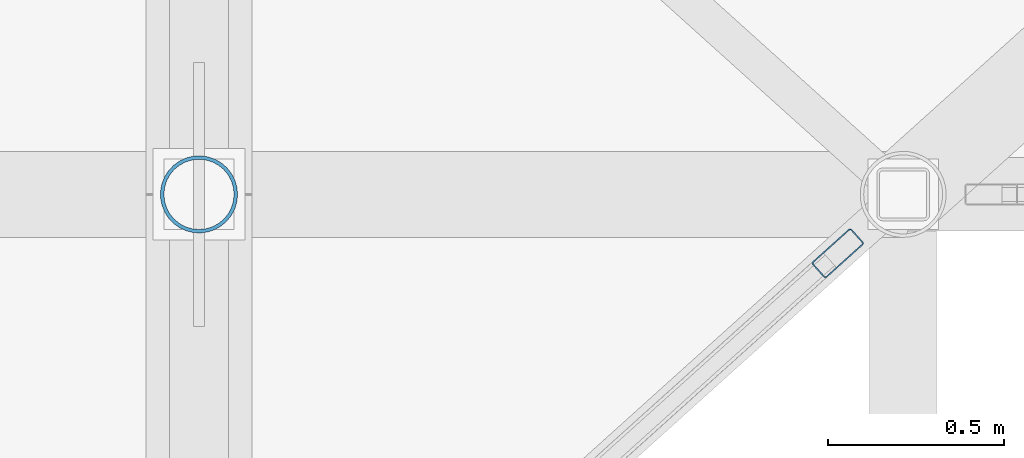
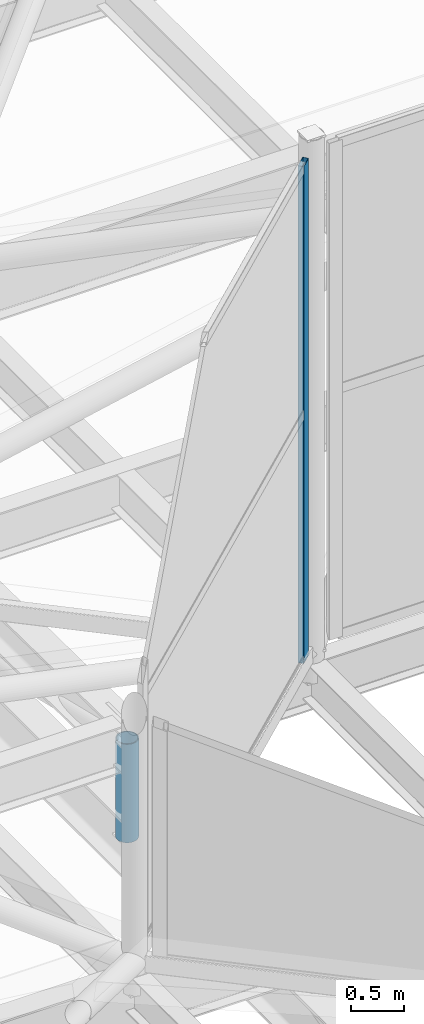
# One storey, part 118 of 239: 2 members, 1 element without a shape of its own.
"""IFC4 building model written with IfcOpenShell, lengths in metres."""

from ifc_helpers import new_model, si_unit, direction, frame, origin, origin_2d, place, context, subcontext, project, spatial, hollow_rectangle, hollow_circle, extrude, material, layer, layer_set, material_profile, profile_set, type_object, element, aggregate, save


model = new_model("IFC4")

# Units and contexts
model_context = context("Model", 3, precision=1e-05, world=origin(), true_north=direction((0.0, 1.0)))
body_context = subcontext(model_context, "Body", "Model", "MODEL_VIEW")
ifc_project = project(units=[si_unit("LENGTHUNIT", "METRE"), si_unit("AREAUNIT", "SQUARE_METRE"), si_unit("VOLUMEUNIT", "CUBIC_METRE"), si_unit("PLANEANGLEUNIT", "RADIAN"), si_unit("MASSUNIT", "GRAM", prefix="KILO")], contexts=[model_context])

# Site, building, storey
site_placement = place(None, origin())
site = spatial("IfcSite", under=ifc_project, at=site_placement, CompositionType="ELEMENT")
building_placement = place(site_placement, origin())
building = spatial("IfcBuilding", under=site, at=building_placement, Name="Dunvalen Ferry Terminal", CompositionType="ELEMENT")
storey_placement = place(building_placement, frame((0.0, 0.0, 9.840087890625)))
storey = spatial("IfcBuildingStorey", under=building, at=storey_placement, Name="L02", CompositionType="ELEMENT", Elevation=9.840087890625)

# Curtain wall, member
ifc_material_1 = material(Name="Anodised marine aluminium and solar-control glazing", Category="aluminium")
ifc_layer = layer(ifc_material_1, 0.179931640625, Name="Anodised marine aluminium and solar-control glazing")
ifc_layer_set = layer_set([ifc_layer], Name="Anodised marine aluminium and solar-control glazing")
curtain_wall_type = type_object("IfcCurtainWallType", Name="ENV-CW-SYS-06", PredefinedType="NOTDEFINED", material=ifc_layer_set)
curtain_wall_placement = place(storey_placement, origin())
curtain_wall = element("IfcCurtainWall", 1, at=curtain_wall_placement, inside=storey, type_object=curtain_wall_type, Name="L02 Curtain Wall CW-HEX-36-SK-6", PredefinedType="NOTDEFINED")
ifc_material_2 = material(Name="Anodised marine aluminium EN AW-6063 T6", Category="aluminium")
ifc_material_profile_1 = material_profile(ifc_material_2, hollow_rectangle(XDim=0.06005859375, YDim=0.14990234375, WallThickness=0.00341796875, InnerFilletRadius=0.00341796875, OuterFilletRadius=0.007080078125, at=origin_2d()), Name="Anodised marine aluminium EN AW-6063 T6")
ifc_profile_set_1 = profile_set([ifc_material_profile_1], Name="Anodised marine aluminium EN AW-6063 T6")
member_type_1 = type_object("IfcMemberType", Name="ENV-CW-MUL-3", PredefinedType="MULLION", material=ifc_profile_set_1)
member_1_placement = place(storey_placement, frame((73.814208984375, 68.232666015625, 1.139892578125), z_axis=(0.0, 0.0, 1.0), x_axis=(0.668953550894, -0.74330420875, 0.0)))
member_1 = element("IfcMember", 2, at=member_1_placement, type_object=member_type_1, Name="CW-06 mullion 1", PredefinedType="MULLION", context=body_context, shape_type="SweptSolid", body=[
    extrude(hollow_rectangle(XDim=0.06005859375, YDim=0.14990234375, WallThickness=0.00341796875, InnerFilletRadius=0.00341796875, OuterFilletRadius=0.007080078125, at=origin_2d()), origin(), (0.0, 0.0, 1.0), 5.699951171875),
])
aggregate(curtain_wall, [member_1])

# Member
ifc_material_3 = material(Name="Steel S355", Category="steel")
ifc_material_profile_2 = material_profile(ifc_material_3, hollow_circle(Radius=0.109619140625, WallThickness=0.010009765625, at=origin_2d()), Name="Steel S355")
ifc_profile_set_2 = profile_set([ifc_material_profile_2], Name="Steel S355")
member_type_2 = type_object("IfcMemberType", Name="STR-MB-CHS219", PredefinedType="STRUT", material=ifc_profile_set_2)
member_2_placement = place(storey_placement, frame((72.0, 68.39990234375, -0.360107421875), z_axis=(0.0, 0.0, 1.0), x_axis=(1.0, 0.0, 0.0)))
element("IfcMember", 3, at=member_2_placement, inside=storey, type_object=member_type_2, Name="Departure Hall Arch Spandrel Strut 06.4", PredefinedType="STRUT", context=body_context, shape_type="SweptSolid", body=[
    extrude(hollow_circle(Radius=0.109619140625, WallThickness=0.010009765625, at=origin_2d()), origin(), (0.0, 0.0, 1.0), 1.130126953125),
])

save(model, "model.ifc")
